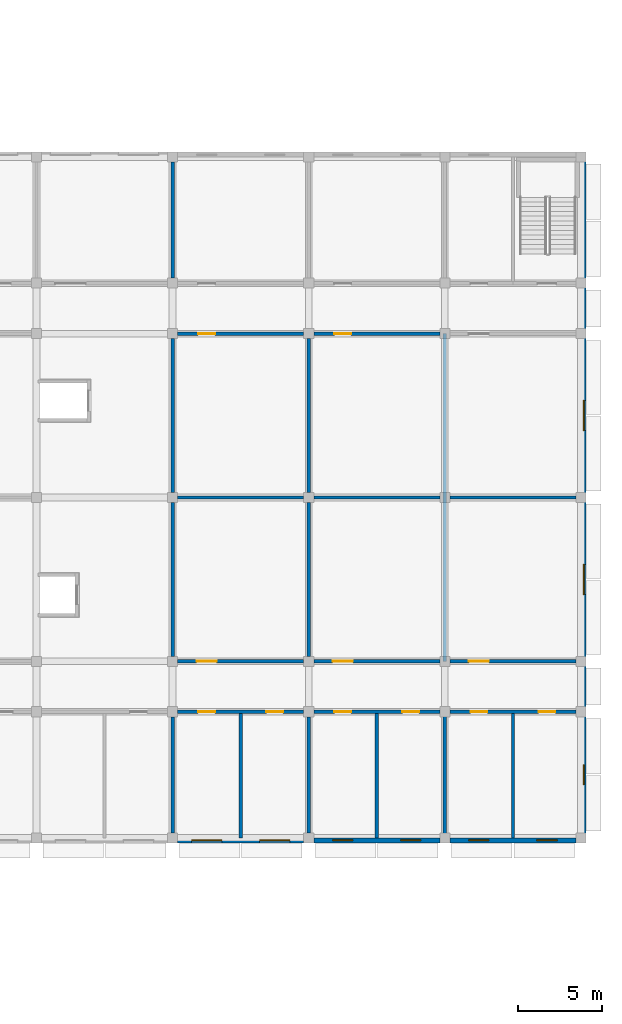
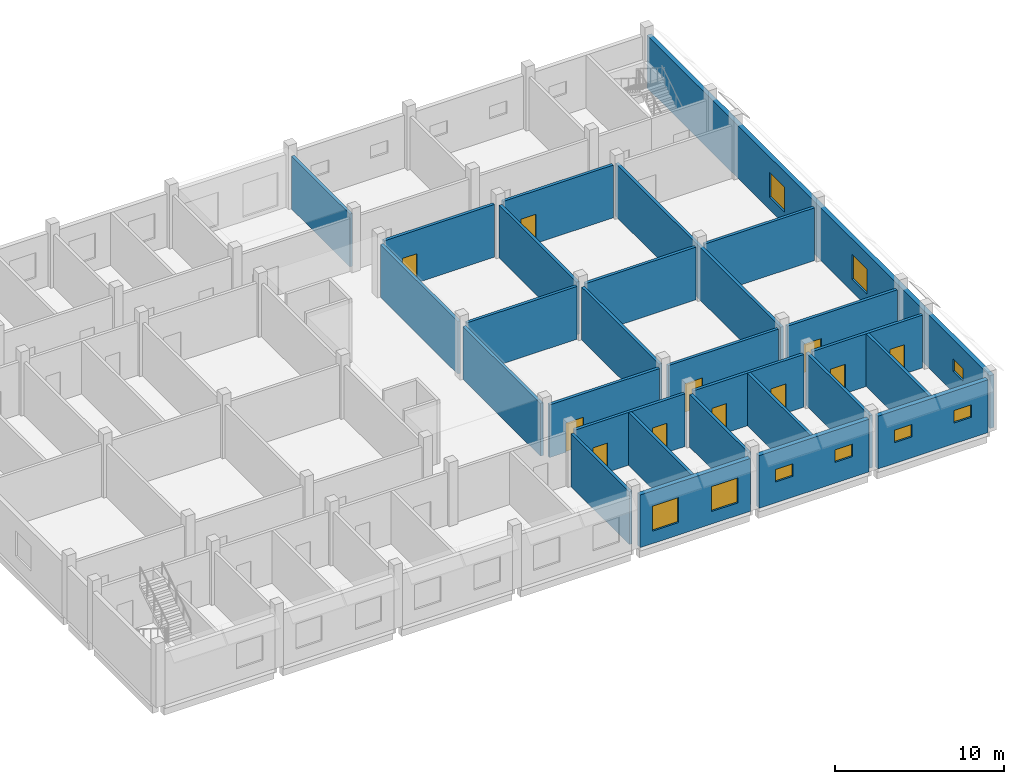
# One storey, part 27 of 38: 27 walls, 11 doors, 9 windows, 20 openings.
"""IFC4 building model written with IfcOpenShell, lengths in metres."""

import ifcopenshell
import ifcopenshell.guid

model = None  # the IFC model being written
_history = None  # IfcOwnerHistory: only IFC2X3 demands one
_inside = {}  # id of a spatial element -> (the spatial element, [elements in it])
_under = {}  # id of a project, library or spatial element -> (it, [spatial elements below it])
_declared = {}  # id of a project -> (the project, [libraries it declares])
_typed = {}  # id of a type object -> (the type object, [elements of that type])
_made_of = {}  # id of a material, layer set ... -> (it, [elements and type objects made of it])


def new_model(schema):
    """Start an empty IFC model of exactly this schema.

    Asked for "IFC4X3", IfcOpenShell would pick the latest addendum, in which some entities
    have other attributes; the version numbers below select the first issue.
    IFC2X3 requires an IfcOwnerHistory on every rooted entity: one is made here for all.
    """
    global model, _history
    if schema == "IFC4X3":
        model = ifcopenshell.file(schema_version=(4, 3, 0, 0))
    else:
        model = ifcopenshell.file(schema=schema)
    _inside.clear()
    _under.clear()
    _declared.clear()
    _typed.clear()
    _made_of.clear()
    _history = None
    if model.schema == "IFC2X3":
        org = make("IfcOrganization", Name="unknown")
        user = make(
            "IfcPersonAndOrganization",
            ThePerson=make("IfcPerson", FamilyName="unknown"),
            TheOrganization=org,
        )
        app = make(
            "IfcApplication",
            ApplicationDeveloper=org,
            Version="unknown",
            ApplicationFullName="unknown",
            ApplicationIdentifier="unknown",
        )
        _history = make(
            "IfcOwnerHistory",
            OwningUser=user,
            OwningApplication=app,
            ChangeAction="ADDED",
            CreationDate=0,
        )
    return model


def make(cls, **values):
    """One entity of the class cls with the attributes given. An attribute that is None is left unset."""
    return model.create_entity(
        cls, **{name: value for name, value in values.items() if value is not None}
    )


def rooted(cls, **values):
    """An entity with a GlobalId (a new one), such as an element, a storey or a relation."""
    return make(cls, GlobalId=ifcopenshell.guid.new(), OwnerHistory=_history, **values)


def si_unit(unit_type, name, prefix=None):
    """IfcSIUnit, for example si_unit("LENGTHUNIT", "METRE", prefix="MILLI")."""
    return make("IfcSIUnit", UnitType=unit_type, Prefix=prefix, Name=name)


def assignment(units):
    """IfcUnitAssignment: the units of a project."""
    return None if units is None else make("IfcUnitAssignment", Units=units)


def point(xyz):
    """IfcCartesianPoint."""
    return None if xyz is None else make("IfcCartesianPoint", Coordinates=xyz)


def direction(xyz):
    """IfcDirection."""
    return None if xyz is None else make("IfcDirection", DirectionRatios=xyz)


def frame(location, z_axis=None, x_axis=None):
    """IfcAxis2Placement3D, a coordinate frame: its origin and axes. An axis left out is left unset."""
    return make(
        "IfcAxis2Placement3D",
        Location=point(location),
        Axis=direction(z_axis),
        RefDirection=direction(x_axis),
    )


def frame_2d(location, x_axis=None):
    """IfcAxis2Placement2D, a coordinate frame in the plane: its origin and x axis."""
    return make(
        "IfcAxis2Placement2D", Location=point(location), RefDirection=direction(x_axis)
    )


def origin():
    """The frame at (0, 0, 0) with its axes left unset."""
    return frame((0.0, 0.0, 0.0))


def place(relative_to, where):
    """IfcLocalPlacement: puts the frame where relative to a parent placement (None: the world)."""
    return make(
        "IfcLocalPlacement", PlacementRelTo=relative_to, RelativePlacement=where
    )


def context(
    kind, dimensions, precision=None, world=None, true_north=None, identifier=None
):
    """IfcGeometricRepresentationContext, for example the 3D "Model" context."""
    return make(
        "IfcGeometricRepresentationContext",
        ContextIdentifier=identifier,
        ContextType=kind,
        CoordinateSpaceDimension=dimensions,
        Precision=precision,
        WorldCoordinateSystem=world,
        TrueNorth=true_north,
    )


def subcontext(parent, identifier, kind, view, scale=None):
    """IfcGeometricRepresentationSubContext, for example "Body" below "Model"."""
    return make(
        "IfcGeometricRepresentationSubContext",
        ContextIdentifier=identifier,
        ContextType=kind,
        ParentContext=parent,
        TargetScale=scale,
        TargetView=view,
    )


def project(units=None, contexts=None):
    """IfcProject with its units and contexts."""
    return rooted(
        "IfcProject",
        Name="project",
        RepresentationContexts=contexts,
        UnitsInContext=assignment(units),
    )


def spatial(cls, under=None, at=None, **own):
    """A site, building, storey or space (cls), placed at a placement, below another one or the project."""
    s = rooted(cls, ObjectPlacement=at, **own)
    if under is not None:
        _under.setdefault(under.id(), (under, []))[1].append(s)
    return s


def profile(cls, at=None, kind="AREA", **sizes):
    """A parametric profile (cls). Its sizes go by their IFC names, for example OverallWidth=200.0."""
    return make(cls, ProfileType=kind, Position=at, **sizes)


def rectangle(**sizes):
    """IfcRectangleProfileDef."""
    return profile("IfcRectangleProfileDef", **sizes)


def extrude(swept, where, along, depth):
    """IfcExtrudedAreaSolid: the profile swept, set in the frame where, extruded along a direction by depth."""
    return make(
        "IfcExtrudedAreaSolid",
        SweptArea=swept,
        Position=where,
        ExtrudedDirection=direction(along),
        Depth=depth,
    )


def shape(context_of_items, identifier, shape_type, items):
    """IfcShapeRepresentation: the items that make up one representation, for example the "Body"."""
    return make(
        "IfcShapeRepresentation",
        ContextOfItems=context_of_items,
        RepresentationIdentifier=identifier,
        RepresentationType=shape_type,
        Items=items,
    )


def material(Name=None, Category=None):
    """IfcMaterial."""
    return make("IfcMaterial", Name=Name, Category=Category)


def layer(
    of_material, thickness, ventilated=None, Name=None, Category=None, Priority=None
):
    """IfcMaterialLayer: one layer of a wall or slab, of a material (None: an air gap)."""
    return make(
        "IfcMaterialLayer",
        Material=of_material,
        LayerThickness=thickness,
        IsVentilated=ventilated,
        Name=Name,
        Category=Category,
        Priority=Priority,
    )


def layer_set(layers, Name=None):
    """IfcMaterialLayerSet."""
    return make("IfcMaterialLayerSet", MaterialLayers=layers, LayerSetName=Name)


def made_of(thing, what):
    """Note that an element or type object is made of a material, layer set ...; save() writes the relation."""
    if what is not None:
        _made_of.setdefault(what.id(), (what, []))[1].append(thing)
    return thing


def type_object(cls, material=None, **own):
    """A type object (cls), such as IfcWallType, which elements share."""
    return made_of(rooted(cls, **own), material)


def element(
    cls,
    number,
    at=None,
    inside=None,
    cuts=None,
    type_object=None,
    material=None,
    context=None,
    identifier="Body",
    shape_type=None,
    held_by="IfcProductDefinitionShape",
    body=None,
    shapes=None,
    **own,
):
    """One element of the class cls, such as IfcWall. Its Tag is "e" and its number.

    at: its placement. inside: the storey or other place that contains it. cuts: it is an
    opening in that element (IfcRelVoidsElement). A single representation is given by context,
    identifier, shape_type and body (its items); several are given by shapes. held_by: the class
    of the entity that holds the representations. save() writes the other relations.
    """
    e = rooted(cls, Tag="e%d" % number, ObjectPlacement=at, **own)
    if body is not None:
        shapes = [shape(context, identifier, shape_type, body)]
    if shapes is not None:
        e.Representation = make(held_by, Representations=shapes)
    if inside is not None:
        _inside.setdefault(inside.id(), (inside, []))[1].append(e)
    if cuts is not None:
        rooted(
            "IfcRelVoidsElement", RelatingBuildingElement=cuts, RelatedOpeningElement=e
        )
    if type_object is not None:
        _typed.setdefault(type_object.id(), (type_object, []))[1].append(e)
    return made_of(e, material)


def fill(opening, filler):
    """IfcRelFillsElement: the door or window that sits in an opening."""
    return rooted(
        "IfcRelFillsElement",
        RelatingOpeningElement=opening,
        RelatedBuildingElement=filler,
    )


def aggregate(whole, parts):
    """IfcRelAggregates: a whole, such as a stair, and the parts it consists of."""
    return rooted("IfcRelAggregates", RelatingObject=whole, RelatedObjects=parts)


def save(model, path):
    """Write the relations noted so far, then the file.

    IfcRelAggregates (storeys below a building ...), IfcRelContainedInSpatialStructure (elements
    in a storey), IfcRelDefinesByType, IfcRelAssociatesMaterial and IfcRelDeclares: one each for
    every whole, place, type object, material and project.
    """
    for whole, parts in _under.values():
        aggregate(whole, parts)
    for where, things in _inside.values():
        rooted(
            "IfcRelContainedInSpatialStructure",
            RelatedElements=things,
            RelatingStructure=where,
        )
    for kind, things in _typed.values():
        rooted("IfcRelDefinesByType", RelatedObjects=things, RelatingType=kind)
    for what, things in _made_of.values():
        rooted("IfcRelAssociatesMaterial", RelatedObjects=things, RelatingMaterial=what)
    for by, libraries in _declared.values():
        rooted("IfcRelDeclares", RelatingContext=by, RelatedDefinitions=libraries)
    model.write(path)


model = new_model("IFC4")

# Units and contexts
model_context = context("Model", 3, precision=1e-05, world=origin(), true_north=direction((0.0, 1.0)))
body_context = subcontext(model_context, "Body", "Model", "MODEL_VIEW")
ifc_project = project(units=[si_unit("LENGTHUNIT", "METRE"), si_unit("AREAUNIT", "SQUARE_METRE"), si_unit("VOLUMEUNIT", "CUBIC_METRE"), si_unit("PLANEANGLEUNIT", "RADIAN"), si_unit("MASSUNIT", "GRAM", prefix="KILO")], contexts=[model_context])

# Site, building, storey
site_placement = place(None, origin())
site = spatial("IfcSite", under=ifc_project, at=site_placement, CompositionType="ELEMENT")
building_placement = place(site_placement, origin())
building = spatial("IfcBuilding", under=site, at=building_placement, Name="Frailejon Research Tower", CompositionType="ELEMENT")
storey_placement = place(building_placement, frame((0.0, 0.0, 5.60009765625)))
storey = spatial("IfcBuildingStorey", under=building, at=storey_placement, Name="L01", CompositionType="ELEMENT", Elevation=5.60009765625)

# Wall, openings, windows
ifc_material_1 = material(Name="Insulated masonry cavity wall", Category="masonry")
ifc_layer_1 = layer(ifc_material_1, 0.300048828125)
ifc_layer_set_1 = layer_set([ifc_layer_1], Name="HC facade wall 300")
wall_type_1 = type_object("IfcWallType", Name="HC facade wall 300", PredefinedType="SOLIDWALL", material=ifc_layer_set_1)
wall_1_placement = place(storey_placement, frame((77.199951171875, -20.39990234375, 0.0), z_axis=(0.0, 0.0, 1.0), x_axis=(1.0, 0.0, 0.0)))
wall_1 = element("IfcWall", 1, at=wall_1_placement, inside=storey, type_object=wall_type_1, Name="HC facade wall", PredefinedType="SOLIDWALL", context=body_context, shape_type="SweptSolid", body=[
    extrude(rectangle(XDim=7.5, YDim=0.300048828125, at=frame_2d((3.75, 0.0))), origin(), (0.0, 0.0, 1.0), 3.7998046875),
])
opening_1_placement = place(wall_1_placement, frame((0.824951171875, 0.0, 0.89990234375)))
opening_1 = element("IfcOpeningElement", 2, at=opening_1_placement, cuts=wall_1, Name="Opening HW108", PredefinedType="OPENING", context=body_context, shape_type="SweptSolid", body=[
    extrude(rectangle(XDim=1.800048828125, YDim=1.800048828125, at=frame_2d((0.89990234375, 0.89990234375))), frame((0.0, 0.159912109375, 0.0), z_axis=(0.0, -1.0, 0.0), x_axis=(1.0, 0.0, 0.0)), (0.0, 0.0, 1.0), 0.320068359375),
])
opening_2_placement = place(wall_1_placement, frame((4.875, 0.0, 0.89990234375)))
opening_2 = element("IfcOpeningElement", 3, at=opening_2_placement, cuts=wall_1, Name="Opening HW109", PredefinedType="OPENING", context=body_context, shape_type="SweptSolid", body=[
    extrude(rectangle(XDim=1.800048828125, YDim=1.800048828125, at=frame_2d((0.89990234375, 0.89990234375))), frame((0.0, 0.159912109375, 0.0), z_axis=(0.0, -1.0, 0.0), x_axis=(1.0, 0.0, 0.0)), (0.0, 0.0, 1.0), 0.320068359375),
])
ifc_material_2 = material(Name="Aluminium framed double glazing", Category="aluminium")
window_type_1 = type_object("IfcWindowType", Name="HC window 1800x1800", PartitioningType="SINGLE_PANEL", PredefinedType="WINDOW", material=ifc_material_2)
window_1_placement = place(opening_1_placement, origin())
window_1 = element("IfcWindow", 4, at=window_1_placement, inside=storey, type_object=window_type_1, Name="Window HW108 (HCW1)", OverallHeight=1.800048828125, OverallWidth=1.800048828125, PartitioningType="SINGLE_PANEL", PredefinedType="WINDOW", context=body_context, shape_type="SweptSolid", body=[
    extrude(rectangle(XDim=1.800048828125, YDim=1.800048828125, at=frame_2d((0.89990234375, 0.89990234375))), frame((0.0, 0.030029296875, 0.0), z_axis=(0.0, -1.0, 0.0), x_axis=(1.0, 0.0, 0.0)), (0.0, 0.0, 1.0), 0.06005859375),
])
fill(opening_1, window_1)
window_2_placement = place(opening_2_placement, origin())
window_2 = element("IfcWindow", 5, at=window_2_placement, inside=storey, type_object=window_type_1, Name="Window HW109 (HCW1)", OverallHeight=1.800048828125, OverallWidth=1.800048828125, PartitioningType="SINGLE_PANEL", PredefinedType="WINDOW", context=body_context, shape_type="SweptSolid", body=[
    extrude(rectangle(XDim=1.800048828125, YDim=1.800048828125, at=frame_2d((0.89990234375, 0.89990234375))), frame((0.0, 0.030029296875, 0.0), z_axis=(0.0, -1.0, 0.0), x_axis=(1.0, 0.0, 0.0)), (0.0, 0.0, 1.0), 0.06005859375),
])
fill(opening_2, window_2)

wall_2_placement = place(storey_placement, frame((85.300048828125, -20.39990234375, 0.0), z_axis=(0.0, 0.0, 1.0), x_axis=(1.0, 0.0, 0.0)))
wall_2 = element("IfcWall", 6, at=wall_2_placement, inside=storey, type_object=wall_type_1, Name="HC facade wall", PredefinedType="SOLIDWALL", context=body_context, shape_type="SweptSolid", body=[
    extrude(rectangle(XDim=7.5, YDim=0.300048828125, at=frame_2d((3.75, 0.0))), origin(), (0.0, 0.0, 1.0), 3.7998046875),
])
opening_3_placement = place(wall_2_placement, frame((1.125, 0.0, 1.5)))
opening_3 = element("IfcOpeningElement", 7, at=opening_3_placement, cuts=wall_2, Name="Opening HW110", PredefinedType="OPENING", context=body_context, shape_type="SweptSolid", body=[
    extrude(rectangle(XDim=1.199951171875, YDim=0.89990234375, at=frame_2d((0.60009765625, 0.449951171875))), frame((0.0, 0.159912109375, 0.0), z_axis=(0.0, -1.0, 0.0), x_axis=(1.0, 0.0, 0.0)), (0.0, 0.0, 1.0), 0.320068359375),
])
opening_4_placement = place(wall_2_placement, frame((5.175048828125, 0.0, 1.5)))
opening_4 = element("IfcOpeningElement", 8, at=opening_4_placement, cuts=wall_2, Name="Opening HW111", PredefinedType="OPENING", context=body_context, shape_type="SweptSolid", body=[
    extrude(rectangle(XDim=1.199951171875, YDim=0.89990234375, at=frame_2d((0.60009765625, 0.449951171875))), frame((0.0, 0.159912109375, 0.0), z_axis=(0.0, -1.0, 0.0), x_axis=(1.0, 0.0, 0.0)), (0.0, 0.0, 1.0), 0.320068359375),
])
ifc_material_3 = material(Name="Aluminium framed double glazing", Category="aluminium")
window_type_2 = type_object("IfcWindowType", Name="HC window 1200x900", PartitioningType="SINGLE_PANEL", PredefinedType="WINDOW", material=ifc_material_3)
window_3_placement = place(opening_3_placement, origin())
window_3 = element("IfcWindow", 9, at=window_3_placement, inside=storey, type_object=window_type_2, Name="Window HW110 (HCW2)", OverallHeight=0.89990234375, OverallWidth=1.199951171875, PartitioningType="SINGLE_PANEL", PredefinedType="WINDOW", context=body_context, shape_type="SweptSolid", body=[
    extrude(rectangle(XDim=1.199951171875, YDim=0.89990234375, at=frame_2d((0.60009765625, 0.449951171875))), frame((0.0, 0.030029296875, 0.0), z_axis=(0.0, -1.0, 0.0), x_axis=(1.0, 0.0, 0.0)), (0.0, 0.0, 1.0), 0.06005859375),
])
fill(opening_3, window_3)
window_4_placement = place(opening_4_placement, origin())
window_4 = element("IfcWindow", 10, at=window_4_placement, inside=storey, type_object=window_type_2, Name="Window HW111 (HCW2)", OverallHeight=0.89990234375, OverallWidth=1.199951171875, PartitioningType="SINGLE_PANEL", PredefinedType="WINDOW", context=body_context, shape_type="SweptSolid", body=[
    extrude(rectangle(XDim=1.199951171875, YDim=0.89990234375, at=frame_2d((0.60009765625, 0.449951171875))), frame((0.0, 0.030029296875, 0.0), z_axis=(0.0, -1.0, 0.0), x_axis=(1.0, 0.0, 0.0)), (0.0, 0.0, 1.0), 0.06005859375),
])
fill(opening_4, window_4)

wall_3_placement = place(storey_placement, frame((93.39990234375, -20.39990234375, 0.0), z_axis=(0.0, 0.0, 1.0), x_axis=(1.0, 0.0, 0.0)))
wall_3 = element("IfcWall", 11, at=wall_3_placement, inside=storey, type_object=wall_type_1, Name="HC facade wall", PredefinedType="SOLIDWALL", context=body_context, shape_type="SweptSolid", body=[
    extrude(rectangle(XDim=7.5, YDim=0.300048828125, at=frame_2d((3.75, 0.0))), origin(), (0.0, 0.0, 1.0), 3.7998046875),
])
opening_5_placement = place(wall_3_placement, frame((1.125, 0.0, 1.5)))
opening_5 = element("IfcOpeningElement", 12, at=opening_5_placement, cuts=wall_3, Name="Opening HW112", PredefinedType="OPENING", context=body_context, shape_type="SweptSolid", body=[
    extrude(rectangle(XDim=1.199951171875, YDim=0.89990234375, at=frame_2d((0.60009765625, 0.449951171875))), frame((0.0, 0.159912109375, 0.0), z_axis=(0.0, -1.0, 0.0), x_axis=(1.0, 0.0, 0.0)), (0.0, 0.0, 1.0), 0.320068359375),
])
opening_6_placement = place(wall_3_placement, frame((5.175048828125, 0.0, 1.5)))
opening_6 = element("IfcOpeningElement", 13, at=opening_6_placement, cuts=wall_3, Name="Opening HW113", PredefinedType="OPENING", context=body_context, shape_type="SweptSolid", body=[
    extrude(rectangle(XDim=1.199951171875, YDim=0.89990234375, at=frame_2d((0.60009765625, 0.449951171875))), frame((0.0, 0.159912109375, 0.0), z_axis=(0.0, -1.0, 0.0), x_axis=(1.0, 0.0, 0.0)), (0.0, 0.0, 1.0), 0.320068359375),
])
window_5_placement = place(opening_5_placement, origin())
window_5 = element("IfcWindow", 14, at=window_5_placement, inside=storey, type_object=window_type_2, Name="Window HW112 (HCW2)", OverallHeight=0.89990234375, OverallWidth=1.199951171875, PartitioningType="SINGLE_PANEL", PredefinedType="WINDOW", context=body_context, shape_type="SweptSolid", body=[
    extrude(rectangle(XDim=1.199951171875, YDim=0.89990234375, at=frame_2d((0.60009765625, 0.449951171875))), frame((0.0, 0.030029296875, 0.0), z_axis=(0.0, -1.0, 0.0), x_axis=(1.0, 0.0, 0.0)), (0.0, 0.0, 1.0), 0.06005859375),
])
fill(opening_5, window_5)
window_6_placement = place(opening_6_placement, origin())
window_6 = element("IfcWindow", 15, at=window_6_placement, inside=storey, type_object=window_type_2, Name="Window HW113 (HCW2)", OverallHeight=0.89990234375, OverallWidth=1.199951171875, PartitioningType="SINGLE_PANEL", PredefinedType="WINDOW", context=body_context, shape_type="SweptSolid", body=[
    extrude(rectangle(XDim=1.199951171875, YDim=0.89990234375, at=frame_2d((0.60009765625, 0.449951171875))), frame((0.0, 0.030029296875, 0.0), z_axis=(0.0, -1.0, 0.0), x_axis=(1.0, 0.0, 0.0)), (0.0, 0.0, 1.0), 0.06005859375),
])
fill(opening_6, window_6)

wall_4_placement = place(storey_placement, frame((101.35009765625, 20.25, 0.0), z_axis=(0.0, 0.0, 1.0), x_axis=(0.0, -1.0, 0.0)))
wall_4 = element("IfcWall", 16, at=wall_4_placement, inside=storey, type_object=wall_type_1, Name="HC facade wall", PredefinedType="SOLIDWALL", context=body_context, shape_type="SweptSolid", body=[
    extrude(rectangle(XDim=40.5, YDim=0.300048828125, at=frame_2d((20.25, 0.0))), origin(), (0.0, 0.0, 1.0), 3.7998046875),
])
opening_7_placement = place(wall_4_placement, frame((36.14990234375, 0.0, 1.5)))
opening_7 = element("IfcOpeningElement", 17, at=opening_7_placement, cuts=wall_4, Name="Opening HW114", PredefinedType="OPENING", context=body_context, shape_type="SweptSolid", body=[
    extrude(rectangle(XDim=1.199951171875, YDim=0.89990234375, at=frame_2d((0.60009765625, 0.449951171875))), frame((0.0, 0.159912109375, 0.0), z_axis=(0.0, -1.0, 0.0), x_axis=(1.0, 0.0, 0.0)), (0.0, 0.0, 1.0), 0.320068359375),
])
opening_8_placement = place(wall_4_placement, frame((24.22509765625, 0.0, 0.89990234375)))
opening_8 = element("IfcOpeningElement", 18, at=opening_8_placement, cuts=wall_4, Name="Opening HW116", PredefinedType="OPENING", context=body_context, shape_type="SweptSolid", body=[
    extrude(rectangle(XDim=1.800048828125, YDim=1.800048828125, at=frame_2d((0.89990234375, 0.89990234375))), frame((0.0, 0.159912109375, 0.0), z_axis=(0.0, -1.0, 0.0), x_axis=(1.0, 0.0, 0.0)), (0.0, 0.0, 1.0), 0.320068359375),
])
opening_9_placement = place(wall_4_placement, frame((14.47509765625, 0.0, 0.89990234375)))
opening_9 = element("IfcOpeningElement", 19, at=opening_9_placement, cuts=wall_4, Name="Opening HW118", PredefinedType="OPENING", context=body_context, shape_type="SweptSolid", body=[
    extrude(rectangle(XDim=1.800048828125, YDim=1.800048828125, at=frame_2d((0.89990234375, 0.89990234375))), frame((0.0, 0.159912109375, 0.0), z_axis=(0.0, -1.0, 0.0), x_axis=(1.0, 0.0, 0.0)), (0.0, 0.0, 1.0), 0.320068359375),
])
window_7_placement = place(opening_7_placement, origin())
window_7 = element("IfcWindow", 20, at=window_7_placement, inside=storey, type_object=window_type_2, Name="Window HW114 (HCW2)", OverallHeight=0.89990234375, OverallWidth=1.199951171875, PartitioningType="SINGLE_PANEL", PredefinedType="WINDOW", context=body_context, shape_type="SweptSolid", body=[
    extrude(rectangle(XDim=1.199951171875, YDim=0.89990234375, at=frame_2d((0.60009765625, 0.449951171875))), frame((0.0, 0.030029296875, 0.0), z_axis=(0.0, -1.0, 0.0), x_axis=(1.0, 0.0, 0.0)), (0.0, 0.0, 1.0), 0.06005859375),
])
fill(opening_7, window_7)
window_8_placement = place(opening_8_placement, origin())
window_8 = element("IfcWindow", 21, at=window_8_placement, inside=storey, type_object=window_type_1, Name="Window HW116 (HCW1)", OverallHeight=1.800048828125, OverallWidth=1.800048828125, PartitioningType="SINGLE_PANEL", PredefinedType="WINDOW", context=body_context, shape_type="SweptSolid", body=[
    extrude(rectangle(XDim=1.800048828125, YDim=1.800048828125, at=frame_2d((0.89990234375, 0.89990234375))), frame((0.0, 0.030029296875, 0.0), z_axis=(0.0, -1.0, 0.0), x_axis=(1.0, 0.0, 0.0)), (0.0, 0.0, 1.0), 0.06005859375),
])
fill(opening_8, window_8)
window_9_placement = place(opening_9_placement, origin())
window_9 = element("IfcWindow", 22, at=window_9_placement, inside=storey, type_object=window_type_1, Name="Window HW118 (HCW1)", OverallHeight=1.800048828125, OverallWidth=1.800048828125, PartitioningType="SINGLE_PANEL", PredefinedType="WINDOW", context=body_context, shape_type="SweptSolid", body=[
    extrude(rectangle(XDim=1.800048828125, YDim=1.800048828125, at=frame_2d((0.89990234375, 0.89990234375))), frame((0.0, 0.030029296875, 0.0), z_axis=(0.0, -1.0, 0.0), x_axis=(1.0, 0.0, 0.0)), (0.0, 0.0, 1.0), 0.06005859375),
])
fill(opening_9, window_9)

# Wall, openings, doors
ifc_material_4 = material(Name="Masonry blockwork partition", Category="masonry")
ifc_layer_2 = layer(ifc_material_4, 0.199951171875)
ifc_layer_set_2 = layer_set([ifc_layer_2], Name="HC partition 200")
wall_type_2 = type_object("IfcWallType", Name="HC partition 200", PredefinedType="PARTITIONING", material=ifc_layer_set_2)
wall_5_placement = place(storey_placement, frame((77.199951171875, -12.75, 0.0), z_axis=(0.0, 0.0, 1.0), x_axis=(1.0, 0.0, 0.0)))
wall_5 = element("IfcWall", 23, at=wall_5_placement, inside=storey, type_object=wall_type_2, Name="HC partition", PredefinedType="PARTITIONING", context=body_context, shape_type="SweptSolid", body=[
    extrude(rectangle(XDim=7.5, YDim=0.199951171875, at=frame_2d((3.75, 0.0))), origin(), (0.0, 0.0, 1.0), 3.7998046875),
])
opening_10_placement = place(wall_5_placement, frame((1.22509765625, 0.0, 0.0)))
opening_10 = element("IfcOpeningElement", 24, at=opening_10_placement, cuts=wall_5, Name="Opening HD110", PredefinedType="OPENING", context=body_context, shape_type="SweptSolid", body=[
    extrude(rectangle(XDim=1.0, YDim=2.10009765625, at=frame_2d((0.5, 1.050048828125))), frame((0.0, 0.10986328125, 0.0), z_axis=(0.0, -1.0, 0.0), x_axis=(1.0, 0.0, 0.0)), (0.0, 0.0, 1.0), 0.219970703125),
])
opening_11_placement = place(wall_5_placement, frame((5.27490234375, 0.0, 0.0)))
opening_11 = element("IfcOpeningElement", 25, at=opening_11_placement, cuts=wall_5, Name="Opening HD111", PredefinedType="OPENING", context=body_context, shape_type="SweptSolid", body=[
    extrude(rectangle(XDim=1.0, YDim=2.10009765625, at=frame_2d((0.5, 1.050048828125))), frame((0.0, 0.10986328125, 0.0), z_axis=(0.0, -1.0, 0.0), x_axis=(1.0, 0.0, 0.0)), (0.0, 0.0, 1.0), 0.219970703125),
])
ifc_material_5 = material(Name="Timber veneered fire door leaf", Category="wood")
door_type_1 = type_object("IfcDoorType", Name="HC door 1000 left", OperationType="SINGLE_SWING_LEFT", PredefinedType="DOOR", material=ifc_material_5)
door_1_placement = place(opening_10_placement, origin())
door_1 = element("IfcDoor", 26, at=door_1_placement, inside=storey, type_object=door_type_1, Name="Door HD110", OperationType="SINGLE_SWING_LEFT", OverallHeight=2.10009765625, OverallWidth=1.0, PredefinedType="DOOR", context=body_context, shape_type="SweptSolid", body=[
    extrude(rectangle(XDim=1.0, YDim=2.10009765625, at=frame_2d((0.5, 1.050048828125))), frame((0.0, 0.02490234375, 0.0), z_axis=(0.0, -1.0, 0.0), x_axis=(1.0, 0.0, 0.0)), (0.0, 0.0, 1.0), 0.050048828125),
])
fill(opening_10, door_1)
ifc_material_6 = material(Name="Timber veneered fire door leaf", Category="wood")
door_type_2 = type_object("IfcDoorType", Name="HC door 1000 right", OperationType="SINGLE_SWING_RIGHT", PredefinedType="DOOR", material=ifc_material_6)
door_2_placement = place(opening_11_placement, origin())
door_2 = element("IfcDoor", 27, at=door_2_placement, inside=storey, type_object=door_type_2, Name="Door HD111", OperationType="SINGLE_SWING_RIGHT", OverallHeight=2.10009765625, OverallWidth=1.0, PredefinedType="DOOR", context=body_context, shape_type="SweptSolid", body=[
    extrude(rectangle(XDim=1.0, YDim=2.10009765625, at=frame_2d((0.5, 1.050048828125))), frame((0.0, 0.02490234375, 0.0), z_axis=(0.0, -1.0, 0.0), x_axis=(1.0, 0.0, 0.0)), (0.0, 0.0, 1.0), 0.050048828125),
])
fill(opening_11, door_2)

wall_6_placement = place(storey_placement, frame((85.300048828125, -12.75, 0.0), z_axis=(0.0, 0.0, 1.0), x_axis=(1.0, 0.0, 0.0)))
wall_6 = element("IfcWall", 28, at=wall_6_placement, inside=storey, type_object=wall_type_2, Name="HC partition", PredefinedType="PARTITIONING", context=body_context, shape_type="SweptSolid", body=[
    extrude(rectangle(XDim=7.5, YDim=0.199951171875, at=frame_2d((3.75, 0.0))), origin(), (0.0, 0.0, 1.0), 3.7998046875),
])
opening_12_placement = place(wall_6_placement, frame((1.22509765625, 0.0, 0.0)))
opening_12 = element("IfcOpeningElement", 29, at=opening_12_placement, cuts=wall_6, Name="Opening HD112", PredefinedType="OPENING", context=body_context, shape_type="SweptSolid", body=[
    extrude(rectangle(XDim=1.0, YDim=2.10009765625, at=frame_2d((0.5, 1.050048828125))), frame((0.0, 0.10986328125, 0.0), z_axis=(0.0, -1.0, 0.0), x_axis=(1.0, 0.0, 0.0)), (0.0, 0.0, 1.0), 0.219970703125),
])
opening_13_placement = place(wall_6_placement, frame((5.27490234375, 0.0, 0.0)))
opening_13 = element("IfcOpeningElement", 30, at=opening_13_placement, cuts=wall_6, Name="Opening HD113", PredefinedType="OPENING", context=body_context, shape_type="SweptSolid", body=[
    extrude(rectangle(XDim=1.0, YDim=2.10009765625, at=frame_2d((0.5, 1.050048828125))), frame((0.0, 0.10986328125, 0.0), z_axis=(0.0, -1.0, 0.0), x_axis=(1.0, 0.0, 0.0)), (0.0, 0.0, 1.0), 0.219970703125),
])
door_3_placement = place(opening_12_placement, origin())
door_3 = element("IfcDoor", 31, at=door_3_placement, inside=storey, type_object=door_type_1, Name="Door HD112", OperationType="SINGLE_SWING_LEFT", OverallHeight=2.10009765625, OverallWidth=1.0, PredefinedType="DOOR", context=body_context, shape_type="SweptSolid", body=[
    extrude(rectangle(XDim=1.0, YDim=2.10009765625, at=frame_2d((0.5, 1.050048828125))), frame((0.0, 0.02490234375, 0.0), z_axis=(0.0, -1.0, 0.0), x_axis=(1.0, 0.0, 0.0)), (0.0, 0.0, 1.0), 0.050048828125),
])
fill(opening_12, door_3)
door_4_placement = place(opening_13_placement, origin())
door_4 = element("IfcDoor", 32, at=door_4_placement, inside=storey, type_object=door_type_2, Name="Door HD113", OperationType="SINGLE_SWING_RIGHT", OverallHeight=2.10009765625, OverallWidth=1.0, PredefinedType="DOOR", context=body_context, shape_type="SweptSolid", body=[
    extrude(rectangle(XDim=1.0, YDim=2.10009765625, at=frame_2d((0.5, 1.050048828125))), frame((0.0, 0.02490234375, 0.0), z_axis=(0.0, -1.0, 0.0), x_axis=(1.0, 0.0, 0.0)), (0.0, 0.0, 1.0), 0.050048828125),
])
fill(opening_13, door_4)

wall_7_placement = place(storey_placement, frame((93.39990234375, -12.75, 0.0), z_axis=(0.0, 0.0, 1.0), x_axis=(1.0, 0.0, 0.0)))
wall_7 = element("IfcWall", 33, at=wall_7_placement, inside=storey, type_object=wall_type_2, Name="HC partition", PredefinedType="PARTITIONING", context=body_context, shape_type="SweptSolid", body=[
    extrude(rectangle(XDim=7.5, YDim=0.199951171875, at=frame_2d((3.75, 0.0))), origin(), (0.0, 0.0, 1.0), 3.7998046875),
])
opening_14_placement = place(wall_7_placement, frame((1.22509765625, 0.0, 0.0)))
opening_14 = element("IfcOpeningElement", 34, at=opening_14_placement, cuts=wall_7, Name="Opening HD114", PredefinedType="OPENING", context=body_context, shape_type="SweptSolid", body=[
    extrude(rectangle(XDim=1.0, YDim=2.10009765625, at=frame_2d((0.5, 1.050048828125))), frame((0.0, 0.10986328125, 0.0), z_axis=(0.0, -1.0, 0.0), x_axis=(1.0, 0.0, 0.0)), (0.0, 0.0, 1.0), 0.219970703125),
])
opening_15_placement = place(wall_7_placement, frame((5.27490234375, 0.0, 0.0)))
opening_15 = element("IfcOpeningElement", 35, at=opening_15_placement, cuts=wall_7, Name="Opening HD115", PredefinedType="OPENING", context=body_context, shape_type="SweptSolid", body=[
    extrude(rectangle(XDim=1.0, YDim=2.10009765625, at=frame_2d((0.5, 1.050048828125))), frame((0.0, 0.10986328125, 0.0), z_axis=(0.0, -1.0, 0.0), x_axis=(1.0, 0.0, 0.0)), (0.0, 0.0, 1.0), 0.219970703125),
])
door_5_placement = place(opening_14_placement, origin())
door_5 = element("IfcDoor", 36, at=door_5_placement, inside=storey, type_object=door_type_1, Name="Door HD114", OperationType="SINGLE_SWING_LEFT", OverallHeight=2.10009765625, OverallWidth=1.0, PredefinedType="DOOR", context=body_context, shape_type="SweptSolid", body=[
    extrude(rectangle(XDim=1.0, YDim=2.10009765625, at=frame_2d((0.5, 1.050048828125))), frame((0.0, 0.02490234375, 0.0), z_axis=(0.0, -1.0, 0.0), x_axis=(1.0, 0.0, 0.0)), (0.0, 0.0, 1.0), 0.050048828125),
])
fill(opening_14, door_5)
door_6_placement = place(opening_15_placement, origin())
door_6 = element("IfcDoor", 37, at=door_6_placement, inside=storey, type_object=door_type_2, Name="Door HD115", OperationType="SINGLE_SWING_RIGHT", OverallHeight=2.10009765625, OverallWidth=1.0, PredefinedType="DOOR", context=body_context, shape_type="SweptSolid", body=[
    extrude(rectangle(XDim=1.0, YDim=2.10009765625, at=frame_2d((0.5, 1.050048828125))), frame((0.0, 0.02490234375, 0.0), z_axis=(0.0, -1.0, 0.0), x_axis=(1.0, 0.0, 0.0)), (0.0, 0.0, 1.0), 0.050048828125),
])
fill(opening_15, door_6)

# Walls
wall_8_placement = place(storey_placement, frame((76.89990234375, -19.949951171875, 0.0), z_axis=(0.0, 0.0, 1.0), x_axis=(0.0, 1.0, 0.0)))
element("IfcWall", 38, at=wall_8_placement, inside=storey, type_object=wall_type_2, Name="HC partition", PredefinedType="PARTITIONING", context=body_context, shape_type="SweptSolid", body=[
    extrude(rectangle(XDim=6.89990234375, YDim=0.199951171875, at=frame_2d((3.449951171875, 0.0))), origin(), (0.0, 0.0, 1.0), 3.7998046875),
])
for number, where, z_axis, x_axis, name in (
    (39, (76.89990234375, -9.449951171875, 0.0), (0.0, 0.0, 1.0), (0.0, 1.0, 0.0), "HC partition"),
    (40, (76.89990234375, 0.300048828125, 0.0), (0.0, 0.0, 1.0), (0.0, 1.0, 0.0), "HC partition"),
):
    element("IfcWall", number, at=place(storey_placement, frame(where, z_axis=z_axis, x_axis=x_axis)), inside=storey, type_object=wall_type_2, Name=name, PredefinedType="PARTITIONING", context=body_context, shape_type="SweptSolid", body=[
        extrude(rectangle(XDim=9.14990234375, YDim=0.199951171875, at=frame_2d((4.574951171875, 0.0))), origin(), (0.0, 0.0, 1.0), 3.7998046875),
    ])
wall_9_placement = place(storey_placement, frame((76.89990234375, 13.050048828125, 0.0), z_axis=(0.0, 0.0, 1.0), x_axis=(0.0, 1.0, 0.0)))
element("IfcWall", 41, at=wall_9_placement, inside=storey, type_object=wall_type_2, Name="HC partition", PredefinedType="PARTITIONING", context=body_context, shape_type="SweptSolid", body=[
    extrude(rectangle(XDim=6.89990234375, YDim=0.199951171875, at=frame_2d((3.449951171875, 0.0))), origin(), (0.0, 0.0, 1.0), 3.7998046875),
])
wall_10_placement = place(storey_placement, frame((80.949951171875, -20.25, 0.0), z_axis=(0.0, 0.0, 1.0), x_axis=(0.0, 1.0, 0.0)))
element("IfcWall", 42, at=wall_10_placement, inside=storey, type_object=wall_type_2, Name="HC partition", PredefinedType="PARTITIONING", context=body_context, shape_type="SweptSolid", body=[
    extrude(rectangle(XDim=7.39990234375, YDim=0.199951171875, at=frame_2d((3.699951171875, 0.0))), origin(), (0.0, 0.0, 1.0), 3.7998046875),
])
wall_11_placement = place(storey_placement, frame((85.0, -19.949951171875, 0.0), z_axis=(0.0, 0.0, 1.0), x_axis=(0.0, 1.0, 0.0)))
element("IfcWall", 43, at=wall_11_placement, inside=storey, type_object=wall_type_2, Name="HC partition", PredefinedType="PARTITIONING", context=body_context, shape_type="SweptSolid", body=[
    extrude(rectangle(XDim=6.89990234375, YDim=0.199951171875, at=frame_2d((3.449951171875, 0.0))), origin(), (0.0, 0.0, 1.0), 3.7998046875),
])
for number, where, z_axis, x_axis, name in (
    (44, (85.0, -9.449951171875, 0.0), (0.0, 0.0, 1.0), (0.0, 1.0, 0.0), "HC partition"),
    (45, (85.0, 0.300048828125, 0.0), (0.0, 0.0, 1.0), (0.0, 1.0, 0.0), "HC partition"),
):
    element("IfcWall", number, at=place(storey_placement, frame(where, z_axis=z_axis, x_axis=x_axis)), inside=storey, type_object=wall_type_2, Name=name, PredefinedType="PARTITIONING", context=body_context, shape_type="SweptSolid", body=[
        extrude(rectangle(XDim=9.14990234375, YDim=0.199951171875, at=frame_2d((4.574951171875, 0.0))), origin(), (0.0, 0.0, 1.0), 3.7998046875),
    ])
wall_12_placement = place(storey_placement, frame((89.050048828125, -20.25, 0.0), z_axis=(0.0, 0.0, 1.0), x_axis=(0.0, 1.0, 0.0)))
element("IfcWall", 46, at=wall_12_placement, inside=storey, type_object=wall_type_2, Name="HC partition", PredefinedType="PARTITIONING", context=body_context, shape_type="SweptSolid", body=[
    extrude(rectangle(XDim=7.39990234375, YDim=0.199951171875, at=frame_2d((3.699951171875, 0.0))), origin(), (0.0, 0.0, 1.0), 3.7998046875),
])
wall_13_placement = place(storey_placement, frame((93.10009765625, -20.25, 0.0), z_axis=(0.0, 0.0, 1.0), x_axis=(0.0, 1.0, 0.0)))
element("IfcWall", 47, at=wall_13_placement, inside=storey, type_object=wall_type_2, Name="HC partition", PredefinedType="PARTITIONING", context=body_context, shape_type="SweptSolid", body=[
    extrude(rectangle(XDim=7.5, YDim=0.199951171875, at=frame_2d((3.75, 0.0))), origin(), (0.0, 0.0, 1.0), 3.7998046875),
])
wall_14_placement = place(storey_placement, frame((93.10009765625, -9.75, 0.0), z_axis=(0.0, 0.0, 1.0), x_axis=(0.0, 1.0, 0.0)))
element("IfcWall", 48, at=wall_14_placement, inside=storey, type_object=wall_type_2, Name="HC partition", PredefinedType="PARTITIONING", context=body_context, shape_type="SweptSolid", body=[
    extrude(rectangle(XDim=19.5, YDim=0.199951171875, at=frame_2d((9.75, 0.0))), origin(), (0.0, 0.0, 1.0), 3.7998046875),
])
wall_15_placement = place(storey_placement, frame((97.14990234375, -20.25, 0.0), z_axis=(0.0, 0.0, 1.0), x_axis=(0.0, 1.0, 0.0)))
element("IfcWall", 49, at=wall_15_placement, inside=storey, type_object=wall_type_2, Name="HC partition", PredefinedType="PARTITIONING", context=body_context, shape_type="SweptSolid", body=[
    extrude(rectangle(XDim=7.39990234375, YDim=0.199951171875, at=frame_2d((3.699951171875, 0.0))), origin(), (0.0, 0.0, 1.0), 3.7998046875),
])

# Wall, opening, door
wall_16_placement = place(storey_placement, frame((77.199951171875, -9.75, 0.0), z_axis=(0.0, 0.0, 1.0), x_axis=(1.0, 0.0, 0.0)))
wall_16 = element("IfcWall", 50, at=wall_16_placement, inside=storey, type_object=wall_type_2, Name="HC partition", PredefinedType="PARTITIONING", context=body_context, shape_type="SweptSolid", body=[
    extrude(rectangle(XDim=7.5, YDim=0.199951171875, at=frame_2d((3.75, 0.0))), origin(), (0.0, 0.0, 1.0), 3.7998046875),
])
opening_16_placement = place(wall_16_placement, frame((1.125, 0.0, 0.0)))
opening_16 = element("IfcOpeningElement", 51, at=opening_16_placement, cuts=wall_16, Name="Opening HD119", PredefinedType="OPENING", context=body_context, shape_type="SweptSolid", body=[
    extrude(rectangle(XDim=1.199951171875, YDim=2.10009765625, at=frame_2d((0.60009765625, 1.050048828125))), frame((0.0, 0.10986328125, 0.0), z_axis=(0.0, -1.0, 0.0), x_axis=(1.0, 0.0, 0.0)), (0.0, 0.0, 1.0), 0.219970703125),
])
ifc_material_7 = material(Name="Timber veneered fire door leaf", Category="wood")
door_type_3 = type_object("IfcDoorType", Name="HC door 1200 right", OperationType="SINGLE_SWING_RIGHT", PredefinedType="DOOR", material=ifc_material_7)
door_7_placement = place(opening_16_placement, origin())
door_7 = element("IfcDoor", 52, at=door_7_placement, inside=storey, type_object=door_type_3, Name="Door HD119", OperationType="SINGLE_SWING_RIGHT", OverallHeight=2.10009765625, OverallWidth=1.199951171875, PredefinedType="DOOR", context=body_context, shape_type="SweptSolid", body=[
    extrude(rectangle(XDim=1.199951171875, YDim=2.10009765625, at=frame_2d((0.60009765625, 1.050048828125))), frame((0.0, 0.02490234375, 0.0), z_axis=(0.0, -1.0, 0.0), x_axis=(1.0, 0.0, 0.0)), (0.0, 0.0, 1.0), 0.050048828125),
])
fill(opening_16, door_7)

wall_17_placement = place(storey_placement, frame((85.300048828125, -9.75, 0.0), z_axis=(0.0, 0.0, 1.0), x_axis=(1.0, 0.0, 0.0)))
wall_17 = element("IfcWall", 53, at=wall_17_placement, inside=storey, type_object=wall_type_2, Name="HC partition", PredefinedType="PARTITIONING", context=body_context, shape_type="SweptSolid", body=[
    extrude(rectangle(XDim=7.5, YDim=0.199951171875, at=frame_2d((3.75, 0.0))), origin(), (0.0, 0.0, 1.0), 3.7998046875),
])
opening_17_placement = place(wall_17_placement, frame((1.125, 0.0, 0.0)))
opening_17 = element("IfcOpeningElement", 54, at=opening_17_placement, cuts=wall_17, Name="Opening HD120", PredefinedType="OPENING", context=body_context, shape_type="SweptSolid", body=[
    extrude(rectangle(XDim=1.199951171875, YDim=2.10009765625, at=frame_2d((0.60009765625, 1.050048828125))), frame((0.0, 0.10986328125, 0.0), z_axis=(0.0, -1.0, 0.0), x_axis=(1.0, 0.0, 0.0)), (0.0, 0.0, 1.0), 0.219970703125),
])
ifc_material_8 = material(Name="Timber veneered fire door leaf", Category="wood")
door_type_4 = type_object("IfcDoorType", Name="HC door 1200 left", OperationType="SINGLE_SWING_LEFT", PredefinedType="DOOR", material=ifc_material_8)
door_8_placement = place(opening_17_placement, origin())
door_8 = element("IfcDoor", 55, at=door_8_placement, inside=storey, type_object=door_type_4, Name="Door HD120", OperationType="SINGLE_SWING_LEFT", OverallHeight=2.10009765625, OverallWidth=1.199951171875, PredefinedType="DOOR", context=body_context, shape_type="SweptSolid", body=[
    extrude(rectangle(XDim=1.199951171875, YDim=2.10009765625, at=frame_2d((0.60009765625, 1.050048828125))), frame((0.0, 0.02490234375, 0.0), z_axis=(0.0, -1.0, 0.0), x_axis=(1.0, 0.0, 0.0)), (0.0, 0.0, 1.0), 0.050048828125),
])
fill(opening_17, door_8)

wall_18_placement = place(storey_placement, frame((93.39990234375, -9.75, 0.0), z_axis=(0.0, 0.0, 1.0), x_axis=(1.0, 0.0, 0.0)))
wall_18 = element("IfcWall", 56, at=wall_18_placement, inside=storey, type_object=wall_type_2, Name="HC partition", PredefinedType="PARTITIONING", context=body_context, shape_type="SweptSolid", body=[
    extrude(rectangle(XDim=7.5, YDim=0.199951171875, at=frame_2d((3.75, 0.0))), origin(), (0.0, 0.0, 1.0), 3.7998046875),
])
opening_18_placement = place(wall_18_placement, frame((1.125, 0.0, 0.0)))
opening_18 = element("IfcOpeningElement", 57, at=opening_18_placement, cuts=wall_18, Name="Opening HD121", PredefinedType="OPENING", context=body_context, shape_type="SweptSolid", body=[
    extrude(rectangle(XDim=1.199951171875, YDim=2.10009765625, at=frame_2d((0.60009765625, 1.050048828125))), frame((0.0, 0.10986328125, 0.0), z_axis=(0.0, -1.0, 0.0), x_axis=(1.0, 0.0, 0.0)), (0.0, 0.0, 1.0), 0.219970703125),
])
door_9_placement = place(opening_18_placement, origin())
door_9 = element("IfcDoor", 58, at=door_9_placement, inside=storey, type_object=door_type_3, Name="Door HD121", OperationType="SINGLE_SWING_RIGHT", OverallHeight=2.10009765625, OverallWidth=1.199951171875, PredefinedType="DOOR", context=body_context, shape_type="SweptSolid", body=[
    extrude(rectangle(XDim=1.199951171875, YDim=2.10009765625, at=frame_2d((0.60009765625, 1.050048828125))), frame((0.0, 0.02490234375, 0.0), z_axis=(0.0, -1.0, 0.0), x_axis=(1.0, 0.0, 0.0)), (0.0, 0.0, 1.0), 0.050048828125),
])
fill(opening_18, door_9)

# Walls
for number, where, z_axis, x_axis, name in (
    (59, (77.199951171875, 0.0, 0.0), (0.0, 0.0, 1.0), (1.0, 0.0, 0.0), "HC partition"),
    (60, (85.300048828125, 0.0, 0.0), (0.0, 0.0, 1.0), (1.0, 0.0, 0.0), "HC partition"),
    (61, (93.39990234375, 0.0, 0.0), (0.0, 0.0, 1.0), (1.0, 0.0, 0.0), "HC partition"),
):
    element("IfcWall", number, at=place(storey_placement, frame(where, z_axis=z_axis, x_axis=x_axis)), inside=storey, type_object=wall_type_2, Name=name, PredefinedType="PARTITIONING", context=body_context, shape_type="SweptSolid", body=[
        extrude(rectangle(XDim=7.5, YDim=0.199951171875, at=frame_2d((3.75, 0.0))), origin(), (0.0, 0.0, 1.0), 3.7998046875),
    ])

# Wall, opening, door
wall_19_placement = place(storey_placement, frame((77.199951171875, 9.75, 0.0), z_axis=(0.0, 0.0, 1.0), x_axis=(1.0, 0.0, 0.0)))
wall_19 = element("IfcWall", 62, at=wall_19_placement, inside=storey, type_object=wall_type_2, Name="HC partition", PredefinedType="PARTITIONING", context=body_context, shape_type="SweptSolid", body=[
    extrude(rectangle(XDim=7.5, YDim=0.199951171875, at=frame_2d((3.75, 0.0))), origin(), (0.0, 0.0, 1.0), 3.7998046875),
])
opening_19_placement = place(wall_19_placement, frame((1.22509765625, 0.0, 0.0)))
opening_19 = element("IfcOpeningElement", 63, at=opening_19_placement, cuts=wall_19, Name="Opening HD127", PredefinedType="OPENING", context=body_context, shape_type="SweptSolid", body=[
    extrude(rectangle(XDim=1.0, YDim=2.10009765625, at=frame_2d((0.5, 1.050048828125))), frame((0.0, 0.10986328125, 0.0), z_axis=(0.0, -1.0, 0.0), x_axis=(1.0, 0.0, 0.0)), (0.0, 0.0, 1.0), 0.219970703125),
])
door_10_placement = place(opening_19_placement, origin())
door_10 = element("IfcDoor", 64, at=door_10_placement, inside=storey, type_object=door_type_2, Name="Door HD127", OperationType="SINGLE_SWING_RIGHT", OverallHeight=2.10009765625, OverallWidth=1.0, PredefinedType="DOOR", context=body_context, shape_type="SweptSolid", body=[
    extrude(rectangle(XDim=1.0, YDim=2.10009765625, at=frame_2d((0.5, 1.050048828125))), frame((0.0, 0.02490234375, 0.0), z_axis=(0.0, -1.0, 0.0), x_axis=(1.0, 0.0, 0.0)), (0.0, 0.0, 1.0), 0.050048828125),
])
fill(opening_19, door_10)

wall_20_placement = place(storey_placement, frame((85.300048828125, 9.75, 0.0), z_axis=(0.0, 0.0, 1.0), x_axis=(1.0, 0.0, 0.0)))
wall_20 = element("IfcWall", 65, at=wall_20_placement, inside=storey, type_object=wall_type_2, Name="HC partition", PredefinedType="PARTITIONING", context=body_context, shape_type="SweptSolid", body=[
    extrude(rectangle(XDim=7.5, YDim=0.199951171875, at=frame_2d((3.75, 0.0))), origin(), (0.0, 0.0, 1.0), 3.7998046875),
])
opening_20_placement = place(wall_20_placement, frame((1.22509765625, 0.0, 0.0)))
opening_20 = element("IfcOpeningElement", 66, at=opening_20_placement, cuts=wall_20, Name="Opening HD128", PredefinedType="OPENING", context=body_context, shape_type="SweptSolid", body=[
    extrude(rectangle(XDim=1.0, YDim=2.10009765625, at=frame_2d((0.5, 1.050048828125))), frame((0.0, 0.10986328125, 0.0), z_axis=(0.0, -1.0, 0.0), x_axis=(1.0, 0.0, 0.0)), (0.0, 0.0, 1.0), 0.219970703125),
])
door_11_placement = place(opening_20_placement, origin())
door_11 = element("IfcDoor", 67, at=door_11_placement, inside=storey, type_object=door_type_1, Name="Door HD128", OperationType="SINGLE_SWING_LEFT", OverallHeight=2.10009765625, OverallWidth=1.0, PredefinedType="DOOR", context=body_context, shape_type="SweptSolid", body=[
    extrude(rectangle(XDim=1.0, YDim=2.10009765625, at=frame_2d((0.5, 1.050048828125))), frame((0.0, 0.02490234375, 0.0), z_axis=(0.0, -1.0, 0.0), x_axis=(1.0, 0.0, 0.0)), (0.0, 0.0, 1.0), 0.050048828125),
])
fill(opening_20, door_11)

save(model, "model.ifc")
